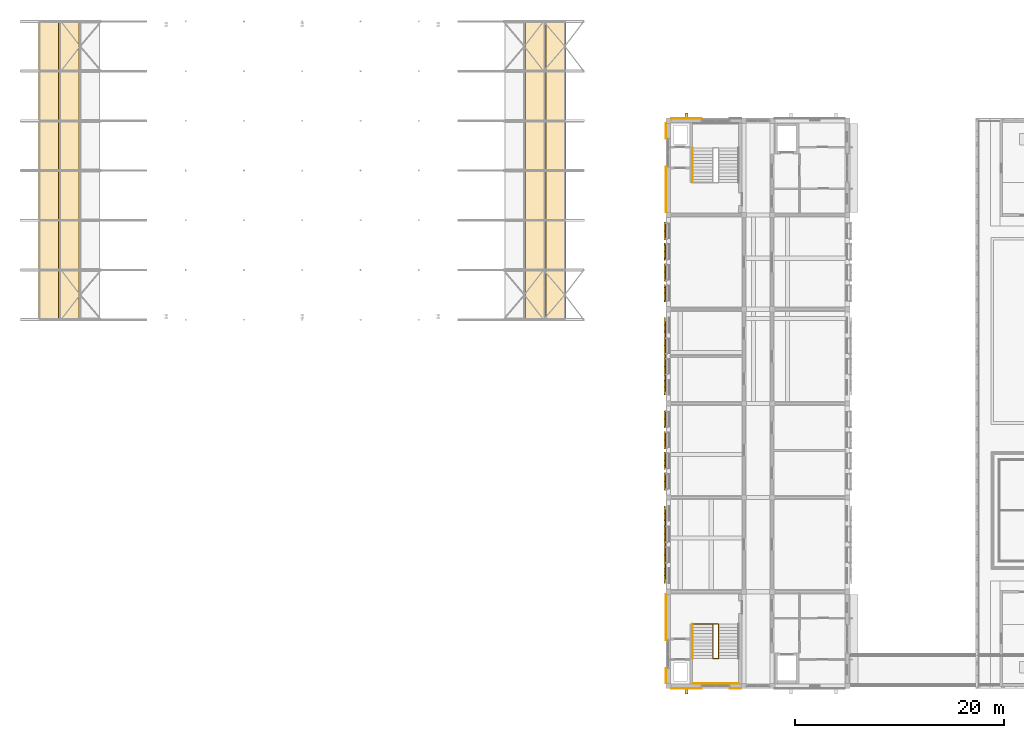
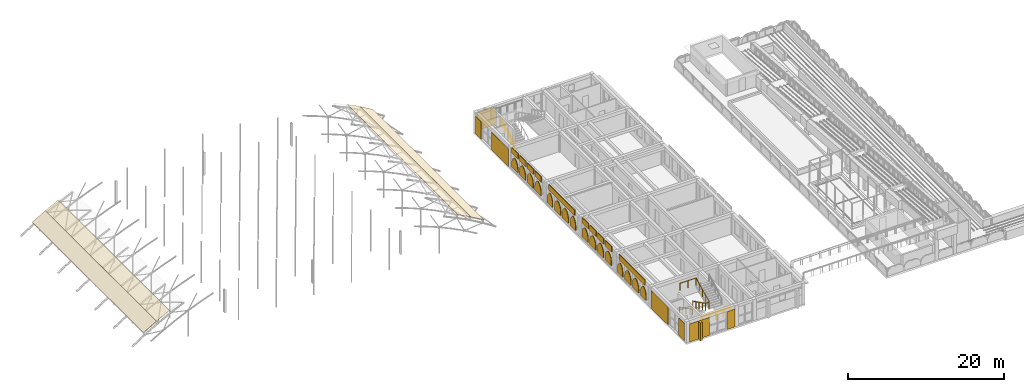
# One storey, part 42 of 50: 23 coverings, 16 shading devices, 4 railings.
"""IFC4 building model written with IfcOpenShell, lengths in metres."""

from ifc_helpers import new_model, si_unit, direction, frame, origin, origin_2d, place, context, subcontext, project, spatial, polyline, rectangle, circle, outline, extrude, material, layer, layer_set, type_object, element, save


model = new_model("IFC4")

# Units and contexts
model_context = context("Model", 3, precision=1e-05, world=origin(), true_north=direction((0.0, 1.0)))
body_context = subcontext(model_context, "Body", "Model", "MODEL_VIEW")
ifc_project = project(units=[si_unit("LENGTHUNIT", "METRE"), si_unit("AREAUNIT", "SQUARE_METRE"), si_unit("VOLUMEUNIT", "CUBIC_METRE"), si_unit("PLANEANGLEUNIT", "RADIAN"), si_unit("MASSUNIT", "GRAM", prefix="KILO")], contexts=[model_context])

# Site, building, storey
site_placement = place(None, origin())
site = spatial("IfcSite", under=ifc_project, at=site_placement, CompositionType="ELEMENT")
building_placement = place(site_placement, origin())
building = spatial("IfcBuilding", under=site, at=building_placement, Name="Elbe Cascade School", CompositionType="ELEMENT")
storey_placement = place(building_placement, frame((0.0, 0.0, 15.300048828125)))
storey = spatial("IfcBuildingStorey", under=building, at=storey_placement, Name="L04", CompositionType="ELEMENT", Elevation=15.300048828125)

# Railings
ifc_material_1 = material(Name="Steel S355J2H, painted", Category="steel")
railing_type_1 = type_object("IfcRailingType", Name="Bar stair guard 1100", PredefinedType="GUARDRAIL", material=ifc_material_1)
railing_1_placement = place(storey_placement, frame((73.25, 11.89990234375, 0.14990234375)))
element("IfcRailing", 1, at=railing_1_placement, inside=storey, type_object=railing_type_1, Name="Stair guard A4.S", PredefinedType="GUARDRAIL", context=body_context, shape_type="SweptSolid", body=[
    extrude(circle(Radius=0.02392578125, at=origin_2d()), frame((0.0, 0.0, 1.09619140625), z_axis=(0.0, -0.894400720042, 0.447266533499), x_axis=(1.0, 0.0, 0.0)), (0.0, 0.0, 1.0), 3.689453125),
    extrude(circle(Radius=0.02392578125, at=origin_2d()), frame((0.0, -3.2998046875, 2.74609375), z_axis=(1.0, 0.0, 0.0), x_axis=(0.0, 1.0, 0.0)), (0.0, 0.0, 1.0), 0.5),
    extrude(circle(Radius=0.02392578125, at=origin_2d()), frame((0.5, -3.2998046875, 2.74609375), z_axis=(0.0, 0.0, 1.0), x_axis=(1.0, 0.0, 0.0)), (0.0, 0.0, 1.0), 0.14990234375),
    extrude(circle(Radius=0.02392578125, at=origin_2d()), frame((0.5, -3.2998046875, 2.89599609375), z_axis=(0.0, 0.894427191, 0.4472135955), x_axis=(-1.0, 0.0, 0.0)), (0.0, 0.0, 1.0), 3.689208984375),
    extrude(circle(Radius=0.02392578125, at=origin_2d()), frame((0.5, 0.0, 4.5458984375), z_axis=(-1.0, 0.0, 0.0), x_axis=(0.0, -1.0, 0.0)), (0.0, 0.0, 1.0), 2.389892578125),
    extrude(circle(Radius=0.02099609375, at=origin_2d()), origin(), (0.0, 0.0, 1.0), 1.072021484375),
    extrude(circle(Radius=0.02099609375, at=origin_2d()), frame((0.0, -0.824951171875, 0.41259765625)), (0.0, 0.0, 1.0), 1.072021484375),
    extrude(circle(Radius=0.02099609375, at=origin_2d()), frame((0.0, -1.64990234375, 0.8251953125)), (0.0, 0.0, 1.0), 1.072021484375),
    extrude(circle(Radius=0.02099609375, at=origin_2d()), frame((0.0, -2.474853515625, 1.237548828125)), (0.0, 0.0, 1.0), 1.072021484375),
    extrude(circle(Radius=0.02099609375, at=origin_2d()), frame((0.0, -3.2998046875, 1.650146484375)), (0.0, 0.0, 1.0), 1.072021484375),
    extrude(circle(Radius=0.02099609375, at=origin_2d()), frame((0.5, -3.2998046875, 1.650146484375)), (0.0, 0.0, 1.0), 1.072021484375),
    extrude(circle(Radius=0.02099609375, at=origin_2d()), frame((0.5, -3.2998046875, 1.800048828125)), (0.0, 0.0, 1.0), 1.072021484375),
    extrude(circle(Radius=0.02099609375, at=origin_2d()), frame((0.5, -2.474853515625, 2.21240234375)), (0.0, 0.0, 1.0), 1.072021484375),
    extrude(circle(Radius=0.02099609375, at=origin_2d()), frame((0.5, -1.64990234375, 2.625)), (0.0, 0.0, 1.0), 1.072021484375),
    extrude(circle(Radius=0.02099609375, at=origin_2d()), frame((0.5, -0.824951171875, 3.03759765625)), (0.0, 0.0, 1.0), 1.072021484375),
    extrude(circle(Radius=0.02099609375, at=origin_2d()), frame((0.5, 0.0, 3.449951171875)), (0.0, 0.0, 1.0), 1.072021484375),
    extrude(circle(Radius=0.02099609375, at=origin_2d()), frame((-0.69482421875, 0.0, 3.449951171875)), (0.0, 0.0, 1.0), 1.072021484375),
    extrude(circle(Radius=0.02099609375, at=origin_2d()), frame((-1.889892578125, 0.0, 3.449951171875)), (0.0, 0.0, 1.0), 1.072021484375),
])
railing_2_placement = place(storey_placement, frame((71.360107421875, 6.239990234375, 1.800048828125)))
element("IfcRailing", 2, at=railing_2_placement, inside=storey, type_object=railing_type_1, Name="Stair guard A4.S", PredefinedType="GUARDRAIL", context=body_context, shape_type="SweptSolid", body=[
    extrude(circle(Radius=0.02392578125, at=origin_2d()), frame((0.0, 0.0, 1.09619140625), z_axis=(1.0, 0.0, 0.0), x_axis=(0.0, 1.0, 0.0)), (0.0, 0.0, 1.0), 4.27978515625),
    extrude(circle(Radius=0.02099609375, at=origin_2d()), origin(), (0.0, 0.0, 1.0), 1.072021484375),
    extrude(circle(Radius=0.02099609375, at=origin_2d()), frame((1.06982421875, 0.0, 0.0)), (0.0, 0.0, 1.0), 1.072021484375),
    extrude(circle(Radius=0.02099609375, at=origin_2d()), frame((2.139892578125, 0.0, 0.0)), (0.0, 0.0, 1.0), 1.072021484375),
    extrude(circle(Radius=0.02099609375, at=origin_2d()), frame((3.2099609375, 0.0, 0.0)), (0.0, 0.0, 1.0), 1.072021484375),
    extrude(circle(Radius=0.02099609375, at=origin_2d()), frame((4.27978515625, 0.0, 0.0)), (0.0, 0.0, 1.0), 1.072021484375),
])
ifc_material_2 = material(Name="Steel S355J2H, painted", Category="steel")
railing_type_2 = type_object("IfcRailingType", Name="Bar stair handrail 900", PredefinedType="HANDRAIL", material=ifc_material_2)
railing_3_placement = place(storey_placement, frame((71.300048828125, 11.89990234375, 0.14990234375)))
element("IfcRailing", 3, at=railing_3_placement, inside=storey, type_object=railing_type_2, Name="Stair handrail A4.S", PredefinedType="HANDRAIL", context=body_context, shape_type="SweptSolid", body=[
    extrude(circle(Radius=0.02392578125, at=origin_2d()), frame((0.0, 0.0, 0.8759765625), z_axis=(0.0, -0.894400720042, 0.447266533499), x_axis=(1.0, 0.0, 0.0)), (0.0, 0.0, 1.0), 3.689453125),
    extrude(circle(Radius=0.02099609375, at=origin_2d()), origin(), (0.0, 0.0, 1.0), 0.851806640625),
    extrude(circle(Radius=0.02099609375, at=origin_2d()), frame((0.0, -0.824951171875, 0.41259765625)), (0.0, 0.0, 1.0), 0.851806640625),
    extrude(circle(Radius=0.02099609375, at=origin_2d()), frame((0.0, -1.64990234375, 0.8251953125)), (0.0, 0.0, 1.0), 0.851806640625),
    extrude(circle(Radius=0.02099609375, at=origin_2d()), frame((0.0, -2.474853515625, 1.237548828125)), (0.0, 0.0, 1.0), 0.851806640625),
    extrude(circle(Radius=0.02099609375, at=origin_2d()), frame((0.0, -3.2998046875, 1.650146484375)), (0.0, 0.0, 1.0), 0.851806640625),
])
railing_4_placement = place(storey_placement, frame((71.300048828125, 54.10009765625, 0.14990234375)))
element("IfcRailing", 4, at=railing_4_placement, inside=storey, type_object=railing_type_2, Name="Stair handrail A4.N", PredefinedType="HANDRAIL", context=body_context, shape_type="SweptSolid", body=[
    extrude(circle(Radius=0.02392578125, at=origin_2d()), frame((0.0, 0.0, 0.8759765625), z_axis=(0.0, 0.894400720042, 0.447266533499), x_axis=(-1.0, 0.0, 0.0)), (0.0, 0.0, 1.0), 3.689453125),
    extrude(circle(Radius=0.02099609375, at=origin_2d()), origin(), (0.0, 0.0, 1.0), 0.851806640625),
    extrude(circle(Radius=0.02099609375, at=origin_2d()), frame((0.0, 0.824951171875, 0.41259765625)), (0.0, 0.0, 1.0), 0.851806640625),
    extrude(circle(Radius=0.02099609375, at=origin_2d()), frame((0.0, 1.64990234375, 0.8251953125)), (0.0, 0.0, 1.0), 0.851806640625),
    extrude(circle(Radius=0.02099609375, at=origin_2d()), frame((0.0, 2.474853515625, 1.237548828125)), (0.0, 0.0, 1.0), 0.851806640625),
    extrude(circle(Radius=0.02099609375, at=origin_2d()), frame((0.0, 3.2998046875, 1.650146484375)), (0.0, 0.0, 1.0), 0.851806640625),
])

# Shading devices
ifc_material_3 = material(Name="Precast concrete C40/50", Category="concrete")
ifc_layer_1 = layer(ifc_material_3, 0.10009765625)
ifc_layer_set_1 = layer_set([ifc_layer_1], Name="Precast concrete C40/50")
shading_device_type_1 = type_object("IfcShadingDeviceType", Name="Bars envelope Jali screen 1400 x 1840, pointed arch rise 1200, pierced precast concrete", PredefinedType="USERDEFINED", material=ifc_layer_set_1)
shading_device_1_placement = place(storey_placement, frame((68.60009765625, 15.830078125, 1.239990234375), z_axis=(-1.0, 0.0, 0.0), x_axis=(0.0, 0.178010233327, 0.984028636184)))
element("IfcShadingDevice", 5, at=shading_device_1_placement, inside=storey, type_object=shading_device_type_1, Name="Jali screen SD6 A.L04.w2.1", ObjectType="JALI", PredefinedType="USERDEFINED", context=body_context, shape_type="SweptSolid", body=[
    extrude(outline(polyline([(0.0, 0.0), (0.4909961754247877, 0.0), (0.6925015045111531, 0.05236873319310516), (0.8428788821146216, 0.11423458756170396), (0.9655850430690349, 0.1808580464704428), (1.0691153542525929, 0.2511985091151042), (1.1586682066636846, 0.32381938311151803), (1.2366894734944909, 0.3985263145297321), (1.3053847865709356, 0.4751684089694145), (1.267849956232629, 0.5707793741352497), (1.2209891721399608, 0.6683255023225533), (1.1625533429373862, 0.767717446565401), (1.0901835144919665, 0.8696300435262571), (0.9986378362756912, 0.9752596442230361), (0.8794209414103609, 1.0856468494599547), (0.7090760950621335, 1.205531175872367), (0.2491969428458631, 1.3775439941116288), (-0.38071591947724304, 1.491494880777456), (-0.6299128623231062, 0.11395088666582719), (0.0, 0.0)])), origin(), (0.0, 0.0, -1.0), 0.10009765625),
])
shading_device_2_placement = place(storey_placement, frame((68.60009765625, 21.77001953125, 1.239990234375), z_axis=(-1.0, 0.0, 0.0), x_axis=(0.0, 0.178010233327, 0.984028636184)))
element("IfcShadingDevice", 6, at=shading_device_2_placement, inside=storey, type_object=shading_device_type_1, Name="Jali screen SD6 A.L04.w2.4", ObjectType="JALI", PredefinedType="USERDEFINED", context=body_context, shape_type="SweptSolid", body=[
    extrude(outline(polyline([(0.0, 0.0), (0.4909961754247877, 0.0), (0.6925449640407739, 0.05260897455936113), (0.8428788821146216, 0.11423458756170396), (0.9656285025986557, 0.18109828783669873), (1.0691153542525929, 0.2511985091151042), (1.1586682066636846, 0.32381938311151803), (1.2367329330241117, 0.3987665558959881), (1.3053847865709356, 0.4751684089694145), (1.26789341576225, 0.5710196155015056), (1.2209891721399608, 0.6683255023225533), (1.1625533429373862, 0.767717446565401), (1.0902269740215873, 0.8698702848925132), (0.9986378362756912, 0.9752596442230361), (0.8794644009399817, 1.0858870908262108), (0.7090760950621335, 1.205531175872367), (0.2491969428458631, 1.3775439941116288), (-0.38071591947724304, 1.491494880777456), (-0.6299128623231062, 0.11395088666582719), (0.0, 0.0)])), origin(), (0.0, 0.0, -1.0), 0.10009765625),
])
shading_device_3_placement = place(storey_placement, frame((68.60009765625, 33.830078125, 1.239990234375), z_axis=(-1.0, 0.0, 0.0), x_axis=(0.0, 0.178010233327, 0.984028636184)))
element("IfcShadingDevice", 7, at=shading_device_3_placement, inside=storey, type_object=shading_device_type_1, Name="Jali screen SD6 A.L04.w4.1", ObjectType="JALI", PredefinedType="USERDEFINED", context=body_context, shape_type="SweptSolid", body=[
    extrude(outline(polyline([(0.0, 0.0), (0.4909961754247877, 0.0), (0.6925015045111531, 0.05236873319310516), (0.8428788821146216, 0.11423458756170396), (0.9655850430690349, 0.1808580464704428), (1.0691153542525929, 0.2511985091151042), (1.1586682066636846, 0.32381938311151803), (1.2366894734944909, 0.3985263145297321), (1.3053847865709356, 0.4751684089694145), (1.267849956232629, 0.5707793741352497), (1.2209891721399608, 0.6683255023225533), (1.1625533429373862, 0.767717446565401), (1.0901835144919665, 0.8696300435262571), (0.9986378362756912, 0.9752596442230361), (0.8794209414103609, 1.0856468494599547), (0.7090760950621335, 1.205531175872367), (0.2491969428458631, 1.3775439941116288), (-0.38071591947724304, 1.491494880777456), (-0.6299128623231062, 0.11395088666582719), (0.0, 0.0)])), origin(), (0.0, 0.0, -1.0), 0.10009765625),
])
shading_device_4_placement = place(storey_placement, frame((68.60009765625, 39.77001953125, 1.239990234375), z_axis=(-1.0, 0.0, 0.0), x_axis=(0.0, 0.178010233327, 0.984028636184)))
element("IfcShadingDevice", 8, at=shading_device_4_placement, inside=storey, type_object=shading_device_type_1, Name="Jali screen SD6 A.L04.w4.4", ObjectType="JALI", PredefinedType="USERDEFINED", context=body_context, shape_type="SweptSolid", body=[
    extrude(outline(polyline([(0.0, 0.0), (0.4909961754247877, 0.0), (0.6925449640407739, 0.05260897455936113), (0.8428788821146216, 0.11423458756170396), (0.9656285025986557, 0.18109828783669873), (1.0691153542525929, 0.2511985091151042), (1.1586682066636846, 0.32381938311151803), (1.2367329330241117, 0.3987665558959881), (1.3053847865709356, 0.4751684089694145), (1.26789341576225, 0.5710196155015056), (1.2209891721399608, 0.6683255023225533), (1.1625533429373862, 0.767717446565401), (1.0902269740215873, 0.8698702848925132), (0.9986378362756912, 0.9752596442230361), (0.8794644009399817, 1.0858870908262108), (0.7090760950621335, 1.205531175872367), (0.2491969428458631, 1.3775439941116288), (-0.38071591947724304, 1.491494880777456), (-0.6299128623231062, 0.11395088666582719), (0.0, 0.0)])), origin(), (0.0, 0.0, -1.0), 0.10009765625),
])
ifc_material_4 = material(Name="Precast concrete C40/50", Category="concrete")
ifc_layer_2 = layer(ifc_material_4, 0.10009765625)
ifc_layer_set_2 = layer_set([ifc_layer_2], Name="Precast concrete C40/50")
shading_device_type_2 = type_object("IfcShadingDeviceType", Name="Bars envelope Jali screen 1600 x 1840, pointed arch rise 1200, pierced precast concrete", PredefinedType="USERDEFINED", material=ifc_layer_set_2)
for number, where, z_axis, x_axis, name in (
    (9, (68.60009765625, 17.7099609375, 1.239990234375), (-1.0, 0.0, 0.0), (0.0, 0.196300278283, 0.98054382908), "Jali screen SD7 A.L04.w2.2"),
    (10, (68.60009765625, 19.68994140625, 1.239990234375), (-1.0, 0.0, 0.0), (0.0, 0.196300278283, 0.98054382908), "Jali screen SD7 A.L04.w2.3"),
):
    element("IfcShadingDevice", number, at=place(storey_placement, frame(where, z_axis=z_axis, x_axis=x_axis)), inside=storey, type_object=shading_device_type_2, Name=name, ObjectType="JALI", PredefinedType="USERDEFINED", context=body_context, shape_type="SweptSolid", body=[
        extrude(outline(polyline([(0.0, 0.0), (0.509921112317134, 0.0), (0.7186409460062186, 0.06005009918221829), (0.8733064327485943, 0.13117061016154), (0.9982874871653163, 0.20823380534668107), (1.102872417131342, 0.2891312241218946), (1.1919448840573539, 0.37338315020117196), (1.268281725197354, 0.45993570394643946), (1.3336545243794973, 0.5489321924158467), (1.3075801207519657, 0.6562359822289878), (1.270445825421322, 0.7655049255997259), (1.220671754049922, 0.877553277802997), (1.155289369893253, 0.9924773561437888), (1.0696067110311427, 1.1117144392411962), (0.9542396198433787, 1.2368942065444228), (0.7847223319636507, 1.37266560447821), (0.31409961520112845, 1.5689658827607584), (-0.3135824941364835, 1.6946248987902608), (-0.6276821093376119, 0.12565901602950239), (0.0, 0.0)])), origin(), (0.0, 0.0, -1.0), 0.10009765625),
    ])
shading_device_5_placement = place(storey_placement, frame((68.60009765625, 24.72998046875, 1.239990234375), z_axis=(-1.0, 0.0, 0.0), x_axis=(0.0, 0.196300278283, 0.98054382908)))
element("IfcShadingDevice", 11, at=shading_device_5_placement, inside=storey, type_object=shading_device_type_2, Name="Jali screen SD7 A.L04.w3.1", ObjectType="JALI", PredefinedType="USERDEFINED", context=body_context, shape_type="SweptSolid", body=[
    extrude(outline(polyline([(0.0, 0.0), (0.509921112317134, 0.0), (0.7186409460062186, 0.06005009918221829), (0.8733064327485943, 0.13117061016154), (0.9982395622926888, 0.20799441476340969), (1.102872417131342, 0.2891312241218946), (1.1919448840573539, 0.37338315020117196), (1.268281725197354, 0.45993570394643946), (1.3336545243794973, 0.5489321924158467), (1.3075321958793382, 0.6559965916457164), (1.270445825421322, 0.7655049255997259), (1.220671754049922, 0.877553277802997), (1.155289369893253, 0.9924773561437888), (1.0696067110311427, 1.1117144392411962), (0.9541916949707512, 1.2366548159611515), (0.7847223319636507, 1.37266560447821), (0.31409961520112845, 1.5689658827607584), (-0.3135824941364835, 1.6946248987902608), (-0.6276821093376119, 0.12565901602950239), (0.0, 0.0)])), origin(), (0.0, 0.0, -1.0), 0.10009765625),
])
for number, where, z_axis, x_axis, name in (
    (12, (68.60009765625, 26.7099609375, 1.239990234375), (-1.0, 0.0, 0.0), (0.0, 0.196300278283, 0.98054382908), "Jali screen SD7 A.L04.w3.2"),
    (13, (68.60009765625, 28.68994140625, 1.239990234375), (-1.0, 0.0, 0.0), (0.0, 0.196300278283, 0.98054382908), "Jali screen SD7 A.L04.w3.3"),
):
    element("IfcShadingDevice", number, at=place(storey_placement, frame(where, z_axis=z_axis, x_axis=x_axis)), inside=storey, type_object=shading_device_type_2, Name=name, ObjectType="JALI", PredefinedType="USERDEFINED", context=body_context, shape_type="SweptSolid", body=[
        extrude(outline(polyline([(0.0, 0.0), (0.509921112317134, 0.0), (0.7186409460062186, 0.06005009918221829), (0.8733064327485943, 0.13117061016154), (0.9982874871653163, 0.20823380534668107), (1.102872417131342, 0.2891312241218946), (1.1919448840573539, 0.37338315020117196), (1.268281725197354, 0.45993570394643946), (1.3336545243794973, 0.5489321924158467), (1.3075801207519657, 0.6562359822289878), (1.270445825421322, 0.7655049255997259), (1.220671754049922, 0.877553277802997), (1.155289369893253, 0.9924773561437888), (1.0696067110311427, 1.1117144392411962), (0.9542396198433787, 1.2368942065444228), (0.7847223319636507, 1.37266560447821), (0.31409961520112845, 1.5689658827607584), (-0.3135824941364835, 1.6946248987902608), (-0.6276821093376119, 0.12565901602950239), (0.0, 0.0)])), origin(), (0.0, 0.0, -1.0), 0.10009765625),
    ])
shading_device_6_placement = place(storey_placement, frame((68.60009765625, 30.669921875, 1.239990234375), z_axis=(-1.0, 0.0, 0.0), x_axis=(0.0, 0.196300278283, 0.98054382908)))
element("IfcShadingDevice", 14, at=shading_device_6_placement, inside=storey, type_object=shading_device_type_2, Name="Jali screen SD7 A.L04.w3.4", ObjectType="JALI", PredefinedType="USERDEFINED", context=body_context, shape_type="SweptSolid", body=[
    extrude(outline(polyline([(0.0, 0.0), (0.509921112317134, 0.0), (0.7186888708788461, 0.0602894897654897), (0.8733064327485943, 0.13117061016154), (0.9982874871653163, 0.20823380534668107), (1.102872417131342, 0.2891312241218946), (1.1919448840573539, 0.37338315020117196), (1.2683296500699814, 0.46017509452971084), (1.3336545243794973, 0.5489321924158467), (1.3075801207519657, 0.6562359822289878), (1.270445825421322, 0.7655049255997259), (1.220671754049922, 0.877553277802997), (1.1553372947658807, 0.9927167467270602), (1.0696067110311427, 1.1117144392411962), (0.9542396198433787, 1.2368942065444228), (0.7847223319636507, 1.37266560447821), (0.31409961520112845, 1.5689658827607584), (-0.3135824941364835, 1.6946248987902608), (-0.6276821093376119, 0.12565901602950239), (0.0, 0.0)])), origin(), (0.0, 0.0, -1.0), 0.10009765625),
])
for number, where, z_axis, x_axis, name in (
    (15, (68.60009765625, 35.7099609375, 1.239990234375), (-1.0, 0.0, 0.0), (0.0, 0.196300278283, 0.98054382908), "Jali screen SD7 A.L04.w4.2"),
    (16, (68.60009765625, 37.68994140625, 1.239990234375), (-1.0, 0.0, 0.0), (0.0, 0.196300278283, 0.98054382908), "Jali screen SD7 A.L04.w4.3"),
):
    element("IfcShadingDevice", number, at=place(storey_placement, frame(where, z_axis=z_axis, x_axis=x_axis)), inside=storey, type_object=shading_device_type_2, Name=name, ObjectType="JALI", PredefinedType="USERDEFINED", context=body_context, shape_type="SweptSolid", body=[
        extrude(outline(polyline([(0.0, 0.0), (0.509921112317134, 0.0), (0.7186409460062186, 0.06005009918221829), (0.8733064327485943, 0.13117061016154), (0.9982874871653163, 0.20823380534668107), (1.102872417131342, 0.2891312241218946), (1.1919448840573539, 0.37338315020117196), (1.268281725197354, 0.45993570394643946), (1.3336545243794973, 0.5489321924158467), (1.3075801207519657, 0.6562359822289878), (1.270445825421322, 0.7655049255997259), (1.220671754049922, 0.877553277802997), (1.155289369893253, 0.9924773561437888), (1.0696067110311427, 1.1117144392411962), (0.9542396198433787, 1.2368942065444228), (0.7847223319636507, 1.37266560447821), (0.31409961520112845, 1.5689658827607584), (-0.3135824941364835, 1.6946248987902608), (-0.6276821093376119, 0.12565901602950239), (0.0, 0.0)])), origin(), (0.0, 0.0, -1.0), 0.10009765625),
    ])
shading_device_7_placement = place(storey_placement, frame((68.60009765625, 42.72998046875, 1.239990234375), z_axis=(-1.0, 0.0, 0.0), x_axis=(0.0, 0.196300278283, 0.98054382908)))
element("IfcShadingDevice", 17, at=shading_device_7_placement, inside=storey, type_object=shading_device_type_2, Name="Jali screen SD7 A.L04.w5.1", ObjectType="JALI", PredefinedType="USERDEFINED", context=body_context, shape_type="SweptSolid", body=[
    extrude(outline(polyline([(0.0, 0.0), (0.509921112317134, 0.0), (0.7186409460062186, 0.06005009918221829), (0.8733064327485943, 0.13117061016154), (0.9982395622926888, 0.20799441476340969), (1.102872417131342, 0.2891312241218946), (1.1919448840573539, 0.37338315020117196), (1.268281725197354, 0.45993570394643946), (1.3336545243794973, 0.5489321924158467), (1.3075321958793382, 0.6559965916457164), (1.270445825421322, 0.7655049255997259), (1.220671754049922, 0.877553277802997), (1.155289369893253, 0.9924773561437888), (1.0696067110311427, 1.1117144392411962), (0.9541916949707512, 1.2366548159611515), (0.7847223319636507, 1.37266560447821), (0.31409961520112845, 1.5689658827607584), (-0.3135824941364835, 1.6946248987902608), (-0.6276821093376119, 0.12565901602950239), (0.0, 0.0)])), origin(), (0.0, 0.0, -1.0), 0.10009765625),
])
for number, where, z_axis, x_axis, name in (
    (18, (68.60009765625, 44.7099609375, 1.239990234375), (-1.0, 0.0, 0.0), (0.0, 0.196300278283, 0.98054382908), "Jali screen SD7 A.L04.w5.2"),
    (19, (68.60009765625, 46.68994140625, 1.239990234375), (-1.0, 0.0, 0.0), (0.0, 0.196300278283, 0.98054382908), "Jali screen SD7 A.L04.w5.3"),
):
    element("IfcShadingDevice", number, at=place(storey_placement, frame(where, z_axis=z_axis, x_axis=x_axis)), inside=storey, type_object=shading_device_type_2, Name=name, ObjectType="JALI", PredefinedType="USERDEFINED", context=body_context, shape_type="SweptSolid", body=[
        extrude(outline(polyline([(0.0, 0.0), (0.509921112317134, 0.0), (0.7186409460062186, 0.06005009918221829), (0.8733064327485943, 0.13117061016154), (0.9982874871653163, 0.20823380534668107), (1.102872417131342, 0.2891312241218946), (1.1919448840573539, 0.37338315020117196), (1.268281725197354, 0.45993570394643946), (1.3336545243794973, 0.5489321924158467), (1.3075801207519657, 0.6562359822289878), (1.270445825421322, 0.7655049255997259), (1.220671754049922, 0.877553277802997), (1.155289369893253, 0.9924773561437888), (1.0696067110311427, 1.1117144392411962), (0.9542396198433787, 1.2368942065444228), (0.7847223319636507, 1.37266560447821), (0.31409961520112845, 1.5689658827607584), (-0.3135824941364835, 1.6946248987902608), (-0.6276821093376119, 0.12565901602950239), (0.0, 0.0)])), origin(), (0.0, 0.0, -1.0), 0.10009765625),
    ])
shading_device_8_placement = place(storey_placement, frame((68.60009765625, 48.669921875, 1.239990234375), z_axis=(-1.0, 0.0, 0.0), x_axis=(0.0, 0.196300278283, 0.98054382908)))
element("IfcShadingDevice", 20, at=shading_device_8_placement, inside=storey, type_object=shading_device_type_2, Name="Jali screen SD7 A.L04.w5.4", ObjectType="JALI", PredefinedType="USERDEFINED", context=body_context, shape_type="SweptSolid", body=[
    extrude(outline(polyline([(0.0, 0.0), (0.509921112317134, 0.0), (0.7186888708788461, 0.0602894897654897), (0.8733064327485943, 0.13117061016154), (0.9982874871653163, 0.20823380534668107), (1.102872417131342, 0.2891312241218946), (1.1919448840573539, 0.37338315020117196), (1.2683296500699814, 0.46017509452971084), (1.3336545243794973, 0.5489321924158467), (1.3075801207519657, 0.6562359822289878), (1.270445825421322, 0.7655049255997259), (1.220671754049922, 0.877553277802997), (1.1553372947658807, 0.9927167467270602), (1.0696067110311427, 1.1117144392411962), (0.9542396198433787, 1.2368942065444228), (0.7847223319636507, 1.37266560447821), (0.31409961520112845, 1.5689658827607584), (-0.3135824941364835, 1.6946248987902608), (-0.6276821093376119, 0.12565901602950239), (0.0, 0.0)])), origin(), (0.0, 0.0, -1.0), 0.10009765625),
])

# Coverings
ifc_material_5 = material(Name="Precast concrete C40/50", Category="concrete")
covering_type_1 = type_object("IfcCoveringType", Name="Bars envelope Precast concrete gable fin, 300 wide, 500 deep", PredefinedType="CLADDING", material=ifc_material_5)
for number, where, z_axis, x_axis, name in (
    (21, (70.699951171875, 5.489990234375, 0.0), (0.0, 0.0, 1.0), (1.0, 0.0, 0.0), "Fin CV50 A.L04.s.1"),
    (22, (70.699951171875, 60.510009765625, 0.0), (0.0, 0.0, 1.0), (1.0, 0.0, 0.0), "Fin CV50 A.L04.n.1"),
):
    element("IfcCovering", number, at=place(storey_placement, frame(where, z_axis=z_axis, x_axis=x_axis)), inside=storey, type_object=covering_type_1, Name=name, PredefinedType="CLADDING", context=body_context, shape_type="SweptSolid", body=[
        extrude(rectangle(XDim=0.300048828125, YDim=0.5, at=origin_2d()), origin(), (0.0, 0.0, 1.0), 2.800048828125),
    ])
ifc_material_6 = material(Name="Sandstone - red", Category="masonry")
ifc_layer_3 = layer(ifc_material_6, 0.0400390625)
ifc_layer_set_3 = layer_set([ifc_layer_3], Name="Sandstone - red")
covering_type_2 = type_object("IfcCoveringType", Name="Bars envelope Sandstone cladding, red, 40 mm", PredefinedType="CLADDING", material=ifc_layer_set_3)
covering_1_placement = place(storey_placement, frame((68.760009765625, 6.969970703125, 0.0), z_axis=(0.0, 0.0, 1.0), x_axis=(0.0, 1.0, 0.0)))
element("IfcCovering", 23, at=covering_1_placement, inside=storey, type_object=covering_type_2, Name="Sandstone cladding CV48 A.L04.w.1a.1", PredefinedType="CLADDING", context=body_context, shape_type="SweptSolid", body=[
    extrude(rectangle(XDim=1.43994140625, YDim=0.0400390625, at=origin_2d()), origin(), (0.0, 0.0, 1.0), 2.75),
])
for number, where, z_axis, x_axis, name in (
    (24, (68.760009765625, 12.570068359375, 0.0), (0.0, 0.0, 1.0), (0.0, 1.0, 0.0), "Sandstone cladding CV48 A.L04.w.1b.1"),
    (25, (68.760009765625, 53.429931640625, 0.0), (0.0, 0.0, 1.0), (0.0, 1.0, 0.0), "Sandstone cladding CV48 A.L04.w.6a.1"),
):
    element("IfcCovering", number, at=place(storey_placement, frame(where, z_axis=z_axis, x_axis=x_axis)), inside=storey, type_object=covering_type_2, Name=name, PredefinedType="CLADDING", context=body_context, shape_type="SweptSolid", body=[
        extrude(rectangle(XDim=4.360107421875, YDim=0.0400390625, at=origin_2d()), origin(), (0.0, 0.0, 1.0), 2.75),
    ])
covering_2_placement = place(storey_placement, frame((68.760009765625, 59.030029296875, 0.0), z_axis=(0.0, 0.0, 1.0), x_axis=(0.0, 1.0, 0.0)))
element("IfcCovering", 26, at=covering_2_placement, inside=storey, type_object=covering_type_2, Name="Sandstone cladding CV48 A.L04.w.6b.1", PredefinedType="CLADDING", context=body_context, shape_type="SweptSolid", body=[
    extrude(rectangle(XDim=1.43994140625, YDim=0.0400390625, at=origin_2d()), origin(), (0.0, 0.0, 1.0), 2.75),
])
covering_3_placement = place(storey_placement, frame((70.699951171875, 5.760009765625, 0.0), z_axis=(0.0, 0.0, 1.0), x_axis=(1.0, 0.0, 0.0)))
element("IfcCovering", 27, at=covering_3_placement, inside=storey, type_object=covering_type_2, Name="Sandstone cladding CV48 A.L04.s.1a.1", PredefinedType="CLADDING", context=body_context, shape_type="SweptSolid", body=[
    extrude(rectangle(XDim=2.89990234375, YDim=0.0400390625, at=origin_2d()), origin(), (0.0, 0.0, 1.0), 2.800048828125),
])
covering_4_placement = place(storey_placement, frame((75.39990234375, 5.760009765625, 0.0), z_axis=(0.0, 0.0, 1.0), x_axis=(1.0, 0.0, 0.0)))
element("IfcCovering", 28, at=covering_4_placement, inside=storey, type_object=covering_type_2, Name="Sandstone cladding CV48 A.L04.s.1b.1", PredefinedType="CLADDING", context=body_context, shape_type="SweptSolid", body=[
    extrude(rectangle(XDim=1.10009765625, YDim=0.0400390625, at=origin_2d()), origin(), (0.0, 0.0, 1.0), 2.800048828125),
])
covering_5_placement = place(storey_placement, frame((70.699951171875, 60.239990234375, 0.0), z_axis=(0.0, 0.0, 1.0), x_axis=(1.0, 0.0, 0.0)))
element("IfcCovering", 29, at=covering_5_placement, inside=storey, type_object=covering_type_2, Name="Sandstone cladding CV48 A.L04.n.1a.1", PredefinedType="CLADDING", context=body_context, shape_type="SweptSolid", body=[
    extrude(rectangle(XDim=2.89990234375, YDim=0.0400390625, at=origin_2d()), origin(), (0.0, 0.0, 1.0), 2.800048828125),
])
ifc_material_7 = material(Name="Sandstone - red", Category="masonry")
covering_type_3 = type_object("IfcCoveringType", Name="Bars envelope Sandstone spandrel band, 120 deep", PredefinedType="CLADDING", material=ifc_material_7)
covering_6_placement = place(storey_placement, frame((68.68994140625, 19.5, 2.75), z_axis=(0.0, 0.0, 1.0), x_axis=(0.0, 1.0, 0.0)))
element("IfcCovering", 30, at=covering_6_placement, inside=storey, type_object=covering_type_3, Name="Spandrel band CV53 A.L04.w1.1", PredefinedType="CLADDING", context=body_context, shape_type="SweptSolid", body=[
    extrude(rectangle(XDim=6.639892578125, YDim=0.1201171875, at=origin_2d()), origin(), (0.0, 0.0, 1.0), 0.85009765625),
])
for number, where, z_axis, x_axis, name in (
    (31, (68.68994140625, 25.530029296875, 2.75), (0.0, 0.0, 1.0), (0.0, 1.0, 0.0), "Spandrel band CV53 A.L04.w2.1"),
    (32, (68.68994140625, 27.510009765625, 2.75), (0.0, 0.0, 1.0), (0.0, 1.0, 0.0), "Spandrel band CV53 A.L04.w2.2"),
    (33, (68.68994140625, 29.489990234375, 2.75), (0.0, 0.0, 1.0), (0.0, 1.0, 0.0), "Spandrel band CV53 A.L04.w2.3"),
    (34, (68.68994140625, 31.469970703125, 2.75), (0.0, 0.0, 1.0), (0.0, 1.0, 0.0), "Spandrel band CV53 A.L04.w2.4"),
):
    element("IfcCovering", number, at=place(storey_placement, frame(where, z_axis=z_axis, x_axis=x_axis)), inside=storey, type_object=covering_type_3, Name=name, PredefinedType="CLADDING", context=body_context, shape_type="SweptSolid", body=[
        extrude(rectangle(XDim=1.639892578125, YDim=0.1201171875, at=origin_2d()), origin(), (0.0, 0.0, 1.0), 0.85009765625),
    ])
covering_7_placement = place(storey_placement, frame((68.68994140625, 37.5, 2.75), z_axis=(0.0, 0.0, 1.0), x_axis=(0.0, 1.0, 0.0)))
element("IfcCovering", 35, at=covering_7_placement, inside=storey, type_object=covering_type_3, Name="Spandrel band CV53 A.L04.w3.1", PredefinedType="CLADDING", context=body_context, shape_type="SweptSolid", body=[
    extrude(rectangle(XDim=6.639892578125, YDim=0.1201171875, at=origin_2d()), origin(), (0.0, 0.0, 1.0), 0.85009765625),
])
for number, where, z_axis, x_axis, name in (
    (36, (68.68994140625, 43.530029296875, 2.75), (0.0, 0.0, 1.0), (0.0, 1.0, 0.0), "Spandrel band CV53 A.L04.w4.1"),
    (37, (68.68994140625, 45.510009765625, 2.75), (0.0, 0.0, 1.0), (0.0, 1.0, 0.0), "Spandrel band CV53 A.L04.w4.2"),
    (38, (68.68994140625, 47.489990234375, 2.75), (0.0, 0.0, 1.0), (0.0, 1.0, 0.0), "Spandrel band CV53 A.L04.w4.3"),
    (39, (68.68994140625, 49.469970703125, 2.75), (0.0, 0.0, 1.0), (0.0, 1.0, 0.0), "Spandrel band CV53 A.L04.w4.4"),
):
    element("IfcCovering", number, at=place(storey_placement, frame(where, z_axis=z_axis, x_axis=x_axis)), inside=storey, type_object=covering_type_3, Name=name, PredefinedType="CLADDING", context=body_context, shape_type="SweptSolid", body=[
        extrude(rectangle(XDim=1.639892578125, YDim=0.1201171875, at=origin_2d()), origin(), (0.0, 0.0, 1.0), 0.85009765625),
    ])
ifc_material_8 = material(Name="Standing seam roofing - zinc")
ifc_layer_4 = layer(ifc_material_8, 0.030029296875)
ifc_layer_set_4 = layer_set([ifc_layer_4], Name="Standing seam roofing - zinc")
covering_type_4 = type_object("IfcCoveringType", Name="Hall roofing", PredefinedType="ROOFING", material=ifc_layer_set_4)
covering_8_placement = place(storey_placement, frame((8.78662109375, 41.0, 1.246337890625), z_axis=(-0.502077562302, 0.0, 0.864822595353), x_axis=(0.864822595353, 0.0, 0.502077562302)))
element("IfcCovering", 40, at=covering_8_placement, inside=storey, type_object=covering_type_4, Name="Roofing 2", PredefinedType="ROOFING", context=body_context, shape_type="SweptSolid", body=[
    extrude(outline(polyline([(0.0, 0.0), (2.235827047524258, 0.0), (2.235827047524258, 28.5), (0.0, 28.5), (0.0, 0.0)])), origin(), (0.0, 0.0, -1.0), 0.030029296875),
])
for number, where, z_axis, x_axis, name in (
    (41, (10.726318359375, 41.0, 2.372314453125), (-0.461888543321, 0.0, 0.886937976157), (0.886937976157, 0.0, 0.461888543321), "Roofing 3"),
    (42, (55.33984375, 41.0, 3.37939453125), (0.461888543321, 0.0, 0.886937976157), (0.886937976157, 0.0, -0.461888543321), "Roofing 26"),
):
    element("IfcCovering", number, at=place(storey_placement, frame(where, z_axis=z_axis, x_axis=x_axis)), inside=storey, type_object=covering_type_4, Name=name, PredefinedType="ROOFING", context=body_context, shape_type="SweptSolid", body=[
        extrude(outline(polyline([(0.0, 0.0), (2.180353015218684, 0.0), (2.180353015218684, 28.5), (0.0, 28.5), (0.0, 0.0)])), origin(), (0.0, 0.0, -1.0), 0.030029296875),
    ])
covering_9_placement = place(storey_placement, frame((57.27978515625, 41.0, 2.368896484375), z_axis=(0.502077562302, 0.0, 0.864822595353), x_axis=(0.864822595353, 0.0, -0.502077562302)))
element("IfcCovering", 43, at=covering_9_placement, inside=storey, type_object=covering_type_4, Name="Roofing 27", PredefinedType="ROOFING", context=body_context, shape_type="SweptSolid", body=[
    extrude(outline(polyline([(0.0, 0.0), (2.235827047524258, 0.0), (2.235827047524258, 28.5), (0.0, 28.5), (0.0, 0.0)])), origin(), (0.0, 0.0, -1.0), 0.030029296875),
])

save(model, "model.ifc")
